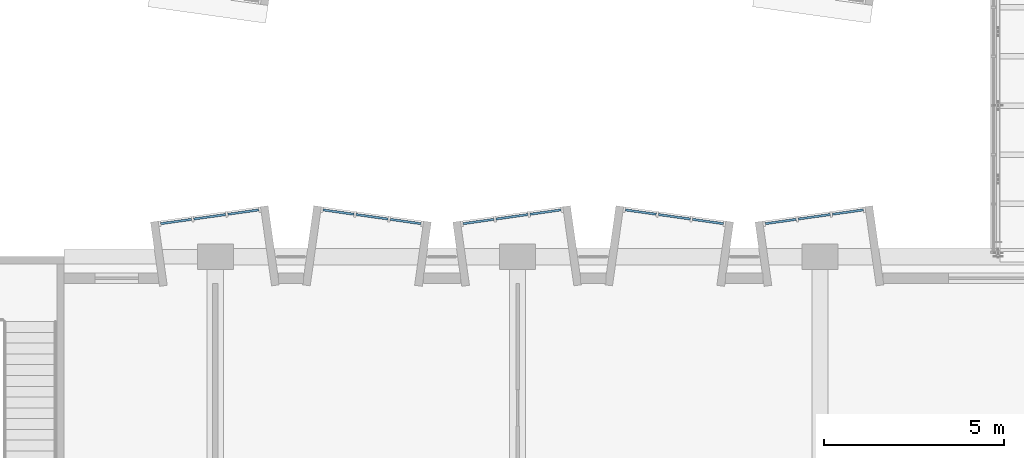
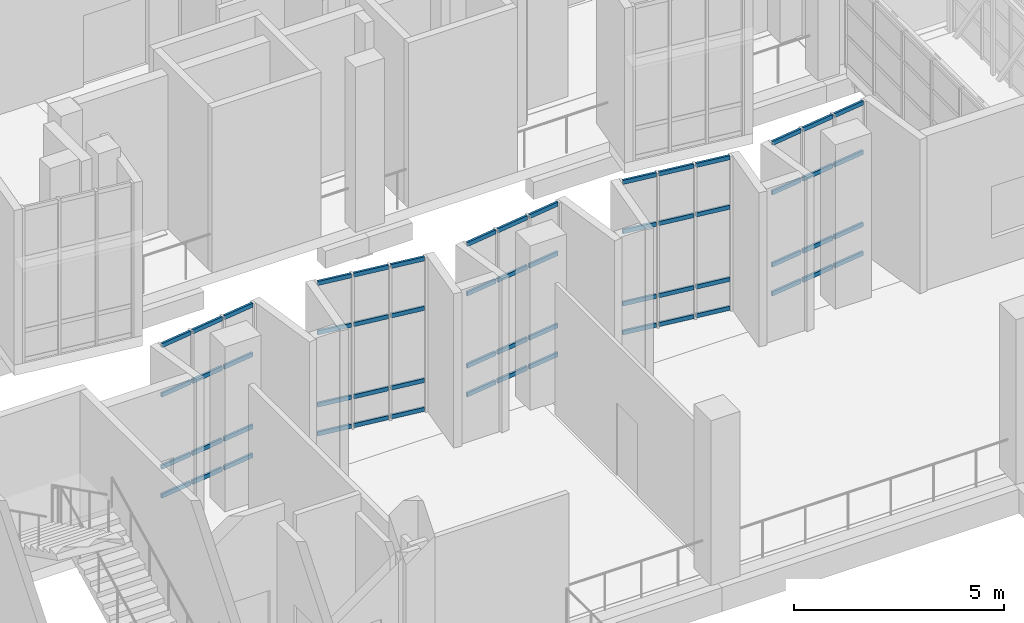
# One storey, part 26 of 86: 60 members, 5 elements without a shape of their own.
"""IFC4 building model written with IfcOpenShell, lengths in metres."""

from ifc_helpers import new_model, si_unit, direction, frame, origin, origin_2d, place, context, subcontext, project, spatial, rectangle, extrude, material, layer, layer_set, material_profile, profile_set, type_object, element, aggregate, save


model = new_model("IFC4")

# Units and contexts
model_context = context("Model", 3, precision=1e-05, world=origin(), true_north=direction((0.0, 1.0)))
body_context = subcontext(model_context, "Body", "Model", "MODEL_VIEW")
ifc_project = project(units=[si_unit("LENGTHUNIT", "METRE"), si_unit("AREAUNIT", "SQUARE_METRE"), si_unit("VOLUMEUNIT", "CUBIC_METRE"), si_unit("PLANEANGLEUNIT", "RADIAN"), si_unit("MASSUNIT", "GRAM", prefix="KILO")], contexts=[model_context])

# Site, building, storey
site_placement = place(None, origin())
site = spatial("IfcSite", under=ifc_project, at=site_placement, CompositionType="ELEMENT")
building_placement = place(site_placement, origin())
building = spatial("IfcBuilding", under=site, at=building_placement, Name="Kiln Court Media Centre", CompositionType="ELEMENT")
storey_placement = place(building_placement, frame((0.0, 0.0, 10.199951171875)))
storey = spatial("IfcBuildingStorey", under=building, at=storey_placement, Name="L02", CompositionType="ELEMENT", Elevation=10.199951171875)

# Curtain wall, members
ifc_material_1 = material(Name="Aluminium 6063-T6", Category="aluminium")
ifc_layer = layer(ifc_material_1, 0.1201171875)
ifc_layer_set = layer_set([ifc_layer], Name="Aluminium unitised bay curtain wall")
curtain_wall_type = type_object("IfcCurtainWallType", Name="Aluminium unitised bay curtain wall", PredefinedType="USERDEFINED", material=ifc_layer_set)
curtain_wall_1_placement = place(storey_placement, origin())
curtain_wall_1 = element("IfcCurtainWall", 1, at=curtain_wall_1_placement, inside=storey, type_object=curtain_wall_type, Name="BAY V6A-N-L02-10 front", ObjectType="UNITISED CURTAIN WALL", PredefinedType="USERDEFINED")
ifc_material_2 = material(Name="Aluminium 6063-T6", Category="aluminium")
ifc_material_profile = material_profile(ifc_material_2, rectangle(XDim=0.06005859375, YDim=0.1201171875, at=origin_2d()), Name="Aluminium transom 60x120")
ifc_profile_set = profile_set([ifc_material_profile], Name="Aluminium 6063-T6")
member_type = type_object("IfcMemberType", Name="Aluminium transom 60x120", PredefinedType="USERDEFINED", material=ifc_profile_set)
member_1_placement = place(storey_placement, frame((6.882568359375, 26.11767578125, 0.06005859375), z_axis=(0.990268108888, 0.139172815303, 0.0), x_axis=(-0.139172815303, 0.990268108888, 0.0)))
member_1 = element("IfcMember", 2, at=member_1_placement, type_object=member_type, Name="CW2-03 transom 1.1", ObjectType="TRANSOM", PredefinedType="USERDEFINED", context=body_context, shape_type="SweptSolid", body=[
    extrude(rectangle(XDim=0.06005859375, YDim=0.1201171875, at=origin_2d()), origin(), (0.0, 0.0, 1.0), 0.86669921875),
])
member_2_placement = place(storey_placement, frame((6.882568359375, 26.11767578125, 0.900146484375), z_axis=(0.990268108888, 0.139172815303, 0.0), x_axis=(-0.139172815303, 0.990268108888, 0.0)))
member_2 = element("IfcMember", 3, at=member_2_placement, type_object=member_type, Name="CW2-03 transom 1.2", ObjectType="TRANSOM", PredefinedType="USERDEFINED", context=body_context, shape_type="SweptSolid", body=[
    extrude(rectangle(XDim=0.06005859375, YDim=0.1201171875, at=origin_2d()), origin(), (0.0, 0.0, 1.0), 0.86669921875),
])
member_3_placement = place(storey_placement, frame((6.882568359375, 26.11767578125, 3.0), z_axis=(0.990268108888, 0.139172815303, 0.0), x_axis=(-0.139172815303, 0.990268108888, 0.0)))
member_3 = element("IfcMember", 4, at=member_3_placement, type_object=member_type, Name="CW2-03 transom 1.3", ObjectType="TRANSOM", PredefinedType="USERDEFINED", context=body_context, shape_type="SweptSolid", body=[
    extrude(rectangle(XDim=0.06005859375, YDim=0.1201171875, at=origin_2d()), origin(), (0.0, 0.0, 1.0), 0.86669921875),
])
member_4_placement = place(storey_placement, frame((6.882568359375, 26.11767578125, 4.43994140625), z_axis=(0.990268108888, 0.139172815303, 0.0), x_axis=(-0.139172815303, 0.990268108888, 0.0)))
member_4 = element("IfcMember", 5, at=member_4_placement, type_object=member_type, Name="CW2-03 transom 1.4", ObjectType="TRANSOM", PredefinedType="USERDEFINED", context=body_context, shape_type="SweptSolid", body=[
    extrude(rectangle(XDim=0.06005859375, YDim=0.1201171875, at=origin_2d()), origin(), (0.0, 0.0, 1.0), 0.86669921875),
])
member_5_placement = place(storey_placement, frame((7.80029296875, 26.246826171875, 0.06005859375), z_axis=(0.990273584723, 0.13913384707, 0.0), x_axis=(-0.13913384707, 0.990273584723, 0.0)))
member_5 = element("IfcMember", 6, at=member_5_placement, type_object=member_type, Name="CW2-03 transom 2.1", ObjectType="TRANSOM", PredefinedType="USERDEFINED", context=body_context, shape_type="SweptSolid", body=[
    extrude(rectangle(XDim=0.06005859375, YDim=0.1201171875, at=origin_2d()), origin(), (0.0, 0.0, 1.0), 0.896728515625),
])
member_6_placement = place(storey_placement, frame((7.80029296875, 26.246826171875, 0.900146484375), z_axis=(0.990273584723, 0.13913384707, 0.0), x_axis=(-0.13913384707, 0.990273584723, 0.0)))
member_6 = element("IfcMember", 7, at=member_6_placement, type_object=member_type, Name="CW2-03 transom 2.2", ObjectType="TRANSOM", PredefinedType="USERDEFINED", context=body_context, shape_type="SweptSolid", body=[
    extrude(rectangle(XDim=0.06005859375, YDim=0.1201171875, at=origin_2d()), origin(), (0.0, 0.0, 1.0), 0.896728515625),
])
member_7_placement = place(storey_placement, frame((7.80029296875, 26.246826171875, 3.0), z_axis=(0.990273584723, 0.13913384707, 0.0), x_axis=(-0.13913384707, 0.990273584723, 0.0)))
member_7 = element("IfcMember", 8, at=member_7_placement, type_object=member_type, Name="CW2-03 transom 2.3", ObjectType="TRANSOM", PredefinedType="USERDEFINED", context=body_context, shape_type="SweptSolid", body=[
    extrude(rectangle(XDim=0.06005859375, YDim=0.1201171875, at=origin_2d()), origin(), (0.0, 0.0, 1.0), 0.896728515625),
])
member_8_placement = place(storey_placement, frame((7.80029296875, 26.246826171875, 4.43994140625), z_axis=(0.990273584723, 0.13913384707, 0.0), x_axis=(-0.13913384707, 0.990273584723, 0.0)))
member_8 = element("IfcMember", 9, at=member_8_placement, type_object=member_type, Name="CW2-03 transom 2.4", ObjectType="TRANSOM", PredefinedType="USERDEFINED", context=body_context, shape_type="SweptSolid", body=[
    extrude(rectangle(XDim=0.06005859375, YDim=0.1201171875, at=origin_2d()), origin(), (0.0, 0.0, 1.0), 0.896728515625),
])
member_9_placement = place(storey_placement, frame((8.74755859375, 26.3798828125, 0.06005859375), z_axis=(0.990268108888, 0.139172815303, 0.0), x_axis=(-0.139172815303, 0.990268108888, 0.0)))
member_9 = element("IfcMember", 10, at=member_9_placement, type_object=member_type, Name="CW2-03 transom 3.1", ObjectType="TRANSOM", PredefinedType="USERDEFINED", context=body_context, shape_type="SweptSolid", body=[
    extrude(rectangle(XDim=0.06005859375, YDim=0.1201171875, at=origin_2d()), origin(), (0.0, 0.0, 1.0), 0.86669921875),
])
member_10_placement = place(storey_placement, frame((8.74755859375, 26.3798828125, 0.900146484375), z_axis=(0.990268108888, 0.139172815303, 0.0), x_axis=(-0.139172815303, 0.990268108888, 0.0)))
member_10 = element("IfcMember", 11, at=member_10_placement, type_object=member_type, Name="CW2-03 transom 3.2", ObjectType="TRANSOM", PredefinedType="USERDEFINED", context=body_context, shape_type="SweptSolid", body=[
    extrude(rectangle(XDim=0.06005859375, YDim=0.1201171875, at=origin_2d()), origin(), (0.0, 0.0, 1.0), 0.86669921875),
])
member_11_placement = place(storey_placement, frame((8.74755859375, 26.3798828125, 3.0), z_axis=(0.990268108888, 0.139172815303, 0.0), x_axis=(-0.139172815303, 0.990268108888, 0.0)))
member_11 = element("IfcMember", 12, at=member_11_placement, type_object=member_type, Name="CW2-03 transom 3.3", ObjectType="TRANSOM", PredefinedType="USERDEFINED", context=body_context, shape_type="SweptSolid", body=[
    extrude(rectangle(XDim=0.06005859375, YDim=0.1201171875, at=origin_2d()), origin(), (0.0, 0.0, 1.0), 0.86669921875),
])
member_12_placement = place(storey_placement, frame((8.74755859375, 26.3798828125, 4.43994140625), z_axis=(0.990268108888, 0.139172815303, 0.0), x_axis=(-0.139172815303, 0.990268108888, 0.0)))
member_12 = element("IfcMember", 13, at=member_12_placement, type_object=member_type, Name="CW2-03 transom 3.4", ObjectType="TRANSOM", PredefinedType="USERDEFINED", context=body_context, shape_type="SweptSolid", body=[
    extrude(rectangle(XDim=0.06005859375, YDim=0.1201171875, at=origin_2d()), origin(), (0.0, 0.0, 1.0), 0.86669921875),
])
aggregate(curtain_wall_1, [member_1, member_2, member_3, member_4, member_5, member_6, member_7, member_8, member_9, member_10, member_11, member_12])

curtain_wall_2_placement = place(storey_placement, origin())
curtain_wall_2 = element("IfcCurtainWall", 14, at=curtain_wall_2_placement, inside=storey, type_object=curtain_wall_type, Name="BAY V6A-N-L02-11 front", ObjectType="UNITISED CURTAIN WALL", PredefinedType="USERDEFINED")
member_13_placement = place(storey_placement, frame((11.394287109375, 26.50048828125, 0.06005859375), z_axis=(0.990268108888, -0.139172815303, 0.0), x_axis=(0.139172815303, 0.990268108888, 0.0)))
member_13 = element("IfcMember", 15, at=member_13_placement, type_object=member_type, Name="CW2-04 transom 1.1", ObjectType="TRANSOM", PredefinedType="USERDEFINED", context=body_context, shape_type="SweptSolid", body=[
    extrude(rectangle(XDim=0.06005859375, YDim=0.1201171875, at=origin_2d()), origin(), (0.0, 0.0, 1.0), 0.86669921875),
])
member_14_placement = place(storey_placement, frame((11.394287109375, 26.50048828125, 0.900146484375), z_axis=(0.990268108888, -0.139172815303, 0.0), x_axis=(0.139172815303, 0.990268108888, 0.0)))
member_14 = element("IfcMember", 16, at=member_14_placement, type_object=member_type, Name="CW2-04 transom 1.2", ObjectType="TRANSOM", PredefinedType="USERDEFINED", context=body_context, shape_type="SweptSolid", body=[
    extrude(rectangle(XDim=0.06005859375, YDim=0.1201171875, at=origin_2d()), origin(), (0.0, 0.0, 1.0), 0.86669921875),
])
member_15_placement = place(storey_placement, frame((11.394287109375, 26.50048828125, 3.0), z_axis=(0.990268108888, -0.139172815303, 0.0), x_axis=(0.139172815303, 0.990268108888, 0.0)))
member_15 = element("IfcMember", 17, at=member_15_placement, type_object=member_type, Name="CW2-04 transom 1.3", ObjectType="TRANSOM", PredefinedType="USERDEFINED", context=body_context, shape_type="SweptSolid", body=[
    extrude(rectangle(XDim=0.06005859375, YDim=0.1201171875, at=origin_2d()), origin(), (0.0, 0.0, 1.0), 0.86669921875),
])
member_16_placement = place(storey_placement, frame((11.394287109375, 26.50048828125, 4.43994140625), z_axis=(0.990268108888, -0.139172815303, 0.0), x_axis=(0.139172815303, 0.990268108888, 0.0)))
member_16 = element("IfcMember", 18, at=member_16_placement, type_object=member_type, Name="CW2-04 transom 1.4", ObjectType="TRANSOM", PredefinedType="USERDEFINED", context=body_context, shape_type="SweptSolid", body=[
    extrude(rectangle(XDim=0.06005859375, YDim=0.1201171875, at=origin_2d()), origin(), (0.0, 0.0, 1.0), 0.86669921875),
])
member_17_placement = place(storey_placement, frame((12.311767578125, 26.37158203125, 0.06005859375), z_axis=(0.990273584723, -0.13913384707, 0.0), x_axis=(0.13913384707, 0.990273584723, 0.0)))
member_17 = element("IfcMember", 19, at=member_17_placement, type_object=member_type, Name="CW2-04 transom 2.1", ObjectType="TRANSOM", PredefinedType="USERDEFINED", context=body_context, shape_type="SweptSolid", body=[
    extrude(rectangle(XDim=0.06005859375, YDim=0.1201171875, at=origin_2d()), origin(), (0.0, 0.0, 1.0), 0.896728515625),
])
member_18_placement = place(storey_placement, frame((12.311767578125, 26.37158203125, 0.900146484375), z_axis=(0.990273584723, -0.13913384707, 0.0), x_axis=(0.13913384707, 0.990273584723, 0.0)))
member_18 = element("IfcMember", 20, at=member_18_placement, type_object=member_type, Name="CW2-04 transom 2.2", ObjectType="TRANSOM", PredefinedType="USERDEFINED", context=body_context, shape_type="SweptSolid", body=[
    extrude(rectangle(XDim=0.06005859375, YDim=0.1201171875, at=origin_2d()), origin(), (0.0, 0.0, 1.0), 0.896728515625),
])
member_19_placement = place(storey_placement, frame((12.311767578125, 26.37158203125, 3.0), z_axis=(0.990273584723, -0.13913384707, 0.0), x_axis=(0.13913384707, 0.990273584723, 0.0)))
member_19 = element("IfcMember", 21, at=member_19_placement, type_object=member_type, Name="CW2-04 transom 2.3", ObjectType="TRANSOM", PredefinedType="USERDEFINED", context=body_context, shape_type="SweptSolid", body=[
    extrude(rectangle(XDim=0.06005859375, YDim=0.1201171875, at=origin_2d()), origin(), (0.0, 0.0, 1.0), 0.896728515625),
])
member_20_placement = place(storey_placement, frame((12.311767578125, 26.37158203125, 4.43994140625), z_axis=(0.990273584723, -0.13913384707, 0.0), x_axis=(0.13913384707, 0.990273584723, 0.0)))
member_20 = element("IfcMember", 22, at=member_20_placement, type_object=member_type, Name="CW2-04 transom 2.4", ObjectType="TRANSOM", PredefinedType="USERDEFINED", context=body_context, shape_type="SweptSolid", body=[
    extrude(rectangle(XDim=0.06005859375, YDim=0.1201171875, at=origin_2d()), origin(), (0.0, 0.0, 1.0), 0.896728515625),
])
member_21_placement = place(storey_placement, frame((13.25927734375, 26.23828125, 0.06005859375), z_axis=(0.990268108888, -0.139172815303, 0.0), x_axis=(0.139172815303, 0.990268108888, 0.0)))
member_21 = element("IfcMember", 23, at=member_21_placement, type_object=member_type, Name="CW2-04 transom 3.1", ObjectType="TRANSOM", PredefinedType="USERDEFINED", context=body_context, shape_type="SweptSolid", body=[
    extrude(rectangle(XDim=0.06005859375, YDim=0.1201171875, at=origin_2d()), origin(), (0.0, 0.0, 1.0), 0.86669921875),
])
member_22_placement = place(storey_placement, frame((13.25927734375, 26.23828125, 0.900146484375), z_axis=(0.990268108888, -0.139172815303, 0.0), x_axis=(0.139172815303, 0.990268108888, 0.0)))
member_22 = element("IfcMember", 24, at=member_22_placement, type_object=member_type, Name="CW2-04 transom 3.2", ObjectType="TRANSOM", PredefinedType="USERDEFINED", context=body_context, shape_type="SweptSolid", body=[
    extrude(rectangle(XDim=0.06005859375, YDim=0.1201171875, at=origin_2d()), origin(), (0.0, 0.0, 1.0), 0.86669921875),
])
member_23_placement = place(storey_placement, frame((13.25927734375, 26.23828125, 3.0), z_axis=(0.990268108888, -0.139172815303, 0.0), x_axis=(0.139172815303, 0.990268108888, 0.0)))
member_23 = element("IfcMember", 25, at=member_23_placement, type_object=member_type, Name="CW2-04 transom 3.3", ObjectType="TRANSOM", PredefinedType="USERDEFINED", context=body_context, shape_type="SweptSolid", body=[
    extrude(rectangle(XDim=0.06005859375, YDim=0.1201171875, at=origin_2d()), origin(), (0.0, 0.0, 1.0), 0.86669921875),
])
member_24_placement = place(storey_placement, frame((13.25927734375, 26.23828125, 4.43994140625), z_axis=(0.990268108888, -0.139172815303, 0.0), x_axis=(0.139172815303, 0.990268108888, 0.0)))
member_24 = element("IfcMember", 26, at=member_24_placement, type_object=member_type, Name="CW2-04 transom 3.4", ObjectType="TRANSOM", PredefinedType="USERDEFINED", context=body_context, shape_type="SweptSolid", body=[
    extrude(rectangle(XDim=0.06005859375, YDim=0.1201171875, at=origin_2d()), origin(), (0.0, 0.0, 1.0), 0.86669921875),
])
aggregate(curtain_wall_2, [member_13, member_14, member_15, member_16, member_17, member_18, member_19, member_20, member_21, member_22, member_23, member_24])

curtain_wall_3_placement = place(storey_placement, origin())
curtain_wall_3 = element("IfcCurtainWall", 27, at=curtain_wall_3_placement, inside=storey, type_object=curtain_wall_type, Name="BAY V6A-N-L02-12 front", ObjectType="UNITISED CURTAIN WALL", PredefinedType="USERDEFINED")
member_25_placement = place(storey_placement, frame((15.282470703125, 26.11767578125, 0.06005859375), z_axis=(0.990273563383, 0.139133998951, 0.0), x_axis=(-0.139133998951, 0.990273563383, 0.0)))
member_25 = element("IfcMember", 28, at=member_25_placement, type_object=member_type, Name="CW2-05 transom 1.1", ObjectType="TRANSOM", PredefinedType="USERDEFINED", context=body_context, shape_type="SweptSolid", body=[
    extrude(rectangle(XDim=0.06005859375, YDim=0.1201171875, at=origin_2d()), origin(), (0.0, 0.0, 1.0), 0.866943359375),
])
member_26_placement = place(storey_placement, frame((15.282470703125, 26.11767578125, 0.900146484375), z_axis=(0.990273563383, 0.139133998951, 0.0), x_axis=(-0.139133998951, 0.990273563383, 0.0)))
member_26 = element("IfcMember", 29, at=member_26_placement, type_object=member_type, Name="CW2-05 transom 1.2", ObjectType="TRANSOM", PredefinedType="USERDEFINED", context=body_context, shape_type="SweptSolid", body=[
    extrude(rectangle(XDim=0.06005859375, YDim=0.1201171875, at=origin_2d()), origin(), (0.0, 0.0, 1.0), 0.866943359375),
])
member_27_placement = place(storey_placement, frame((15.282470703125, 26.11767578125, 3.0), z_axis=(0.990273563383, 0.139133998951, 0.0), x_axis=(-0.139133998951, 0.990273563383, 0.0)))
member_27 = element("IfcMember", 30, at=member_27_placement, type_object=member_type, Name="CW2-05 transom 1.3", ObjectType="TRANSOM", PredefinedType="USERDEFINED", context=body_context, shape_type="SweptSolid", body=[
    extrude(rectangle(XDim=0.06005859375, YDim=0.1201171875, at=origin_2d()), origin(), (0.0, 0.0, 1.0), 0.866943359375),
])
member_28_placement = place(storey_placement, frame((15.282470703125, 26.11767578125, 4.43994140625), z_axis=(0.990273563383, 0.139133998951, 0.0), x_axis=(-0.139133998951, 0.990273563383, 0.0)))
member_28 = element("IfcMember", 31, at=member_28_placement, type_object=member_type, Name="CW2-05 transom 1.4", ObjectType="TRANSOM", PredefinedType="USERDEFINED", context=body_context, shape_type="SweptSolid", body=[
    extrude(rectangle(XDim=0.06005859375, YDim=0.1201171875, at=origin_2d()), origin(), (0.0, 0.0, 1.0), 0.866943359375),
])
member_29_placement = place(storey_placement, frame((16.2001953125, 26.246826171875, 0.06005859375), z_axis=(0.990273584723, 0.13913384707, 0.0), x_axis=(-0.13913384707, 0.990273584723, 0.0)))
member_29 = element("IfcMember", 32, at=member_29_placement, type_object=member_type, Name="CW2-05 transom 2.1", ObjectType="TRANSOM", PredefinedType="USERDEFINED", context=body_context, shape_type="SweptSolid", body=[
    extrude(rectangle(XDim=0.06005859375, YDim=0.1201171875, at=origin_2d()), origin(), (0.0, 0.0, 1.0), 0.896728515625),
])
member_30_placement = place(storey_placement, frame((16.2001953125, 26.246826171875, 0.900146484375), z_axis=(0.990273584723, 0.13913384707, 0.0), x_axis=(-0.13913384707, 0.990273584723, 0.0)))
member_30 = element("IfcMember", 33, at=member_30_placement, type_object=member_type, Name="CW2-05 transom 2.2", ObjectType="TRANSOM", PredefinedType="USERDEFINED", context=body_context, shape_type="SweptSolid", body=[
    extrude(rectangle(XDim=0.06005859375, YDim=0.1201171875, at=origin_2d()), origin(), (0.0, 0.0, 1.0), 0.896728515625),
])
member_31_placement = place(storey_placement, frame((16.2001953125, 26.246826171875, 3.0), z_axis=(0.990273584723, 0.13913384707, 0.0), x_axis=(-0.13913384707, 0.990273584723, 0.0)))
member_31 = element("IfcMember", 34, at=member_31_placement, type_object=member_type, Name="CW2-05 transom 2.3", ObjectType="TRANSOM", PredefinedType="USERDEFINED", context=body_context, shape_type="SweptSolid", body=[
    extrude(rectangle(XDim=0.06005859375, YDim=0.1201171875, at=origin_2d()), origin(), (0.0, 0.0, 1.0), 0.896728515625),
])
member_32_placement = place(storey_placement, frame((16.2001953125, 26.246826171875, 4.43994140625), z_axis=(0.990273584723, 0.13913384707, 0.0), x_axis=(-0.13913384707, 0.990273584723, 0.0)))
member_32 = element("IfcMember", 35, at=member_32_placement, type_object=member_type, Name="CW2-05 transom 2.4", ObjectType="TRANSOM", PredefinedType="USERDEFINED", context=body_context, shape_type="SweptSolid", body=[
    extrude(rectangle(XDim=0.06005859375, YDim=0.1201171875, at=origin_2d()), origin(), (0.0, 0.0, 1.0), 0.896728515625),
])
member_33_placement = place(storey_placement, frame((17.1474609375, 26.3798828125, 0.06005859375), z_axis=(0.990273563383, 0.139133998951, 0.0), x_axis=(-0.139133998951, 0.990273563383, 0.0)))
member_33 = element("IfcMember", 36, at=member_33_placement, type_object=member_type, Name="CW2-05 transom 3.1", ObjectType="TRANSOM", PredefinedType="USERDEFINED", context=body_context, shape_type="SweptSolid", body=[
    extrude(rectangle(XDim=0.06005859375, YDim=0.1201171875, at=origin_2d()), origin(), (0.0, 0.0, 1.0), 0.866943359375),
])
member_34_placement = place(storey_placement, frame((17.1474609375, 26.3798828125, 0.900146484375), z_axis=(0.990273563383, 0.139133998951, 0.0), x_axis=(-0.139133998951, 0.990273563383, 0.0)))
member_34 = element("IfcMember", 37, at=member_34_placement, type_object=member_type, Name="CW2-05 transom 3.2", ObjectType="TRANSOM", PredefinedType="USERDEFINED", context=body_context, shape_type="SweptSolid", body=[
    extrude(rectangle(XDim=0.06005859375, YDim=0.1201171875, at=origin_2d()), origin(), (0.0, 0.0, 1.0), 0.866943359375),
])
member_35_placement = place(storey_placement, frame((17.1474609375, 26.3798828125, 3.0), z_axis=(0.990273563383, 0.139133998951, 0.0), x_axis=(-0.139133998951, 0.990273563383, 0.0)))
member_35 = element("IfcMember", 38, at=member_35_placement, type_object=member_type, Name="CW2-05 transom 3.3", ObjectType="TRANSOM", PredefinedType="USERDEFINED", context=body_context, shape_type="SweptSolid", body=[
    extrude(rectangle(XDim=0.06005859375, YDim=0.1201171875, at=origin_2d()), origin(), (0.0, 0.0, 1.0), 0.866943359375),
])
member_36_placement = place(storey_placement, frame((17.1474609375, 26.3798828125, 4.43994140625), z_axis=(0.990273563383, 0.139133998951, 0.0), x_axis=(-0.139133998951, 0.990273563383, 0.0)))
member_36 = element("IfcMember", 39, at=member_36_placement, type_object=member_type, Name="CW2-05 transom 3.4", ObjectType="TRANSOM", PredefinedType="USERDEFINED", context=body_context, shape_type="SweptSolid", body=[
    extrude(rectangle(XDim=0.06005859375, YDim=0.1201171875, at=origin_2d()), origin(), (0.0, 0.0, 1.0), 0.866943359375),
])
aggregate(curtain_wall_3, [member_25, member_26, member_27, member_28, member_29, member_30, member_31, member_32, member_33, member_34, member_35, member_36])

curtain_wall_4_placement = place(storey_placement, origin())
curtain_wall_4 = element("IfcCurtainWall", 40, at=curtain_wall_4_placement, inside=storey, type_object=curtain_wall_type, Name="BAY V6A-N-L02-13 front", ObjectType="UNITISED CURTAIN WALL", PredefinedType="USERDEFINED")
member_37_placement = place(storey_placement, frame((19.794189453125, 26.50048828125, 0.06005859375), z_axis=(0.990268108888, -0.139172815303, 0.0), x_axis=(0.139172815303, 0.990268108888, 0.0)))
member_37 = element("IfcMember", 41, at=member_37_placement, type_object=member_type, Name="CW2-06 transom 1.1", ObjectType="TRANSOM", PredefinedType="USERDEFINED", context=body_context, shape_type="SweptSolid", body=[
    extrude(rectangle(XDim=0.06005859375, YDim=0.1201171875, at=origin_2d()), origin(), (0.0, 0.0, 1.0), 0.86669921875),
])
member_38_placement = place(storey_placement, frame((19.794189453125, 26.50048828125, 0.900146484375), z_axis=(0.990268108888, -0.139172815303, 0.0), x_axis=(0.139172815303, 0.990268108888, 0.0)))
member_38 = element("IfcMember", 42, at=member_38_placement, type_object=member_type, Name="CW2-06 transom 1.2", ObjectType="TRANSOM", PredefinedType="USERDEFINED", context=body_context, shape_type="SweptSolid", body=[
    extrude(rectangle(XDim=0.06005859375, YDim=0.1201171875, at=origin_2d()), origin(), (0.0, 0.0, 1.0), 0.86669921875),
])
member_39_placement = place(storey_placement, frame((19.794189453125, 26.50048828125, 3.0), z_axis=(0.990268108888, -0.139172815303, 0.0), x_axis=(0.139172815303, 0.990268108888, 0.0)))
member_39 = element("IfcMember", 43, at=member_39_placement, type_object=member_type, Name="CW2-06 transom 1.3", ObjectType="TRANSOM", PredefinedType="USERDEFINED", context=body_context, shape_type="SweptSolid", body=[
    extrude(rectangle(XDim=0.06005859375, YDim=0.1201171875, at=origin_2d()), origin(), (0.0, 0.0, 1.0), 0.86669921875),
])
member_40_placement = place(storey_placement, frame((19.794189453125, 26.50048828125, 4.43994140625), z_axis=(0.990268108888, -0.139172815303, 0.0), x_axis=(0.139172815303, 0.990268108888, 0.0)))
member_40 = element("IfcMember", 44, at=member_40_placement, type_object=member_type, Name="CW2-06 transom 1.4", ObjectType="TRANSOM", PredefinedType="USERDEFINED", context=body_context, shape_type="SweptSolid", body=[
    extrude(rectangle(XDim=0.06005859375, YDim=0.1201171875, at=origin_2d()), origin(), (0.0, 0.0, 1.0), 0.86669921875),
])
member_41_placement = place(storey_placement, frame((20.7119140625, 26.37158203125, 0.06005859375), z_axis=(0.990273584723, -0.13913384707, 0.0), x_axis=(0.13913384707, 0.990273584723, 0.0)))
member_41 = element("IfcMember", 45, at=member_41_placement, type_object=member_type, Name="CW2-06 transom 2.1", ObjectType="TRANSOM", PredefinedType="USERDEFINED", context=body_context, shape_type="SweptSolid", body=[
    extrude(rectangle(XDim=0.06005859375, YDim=0.1201171875, at=origin_2d()), origin(), (0.0, 0.0, 1.0), 0.896728515625),
])
member_42_placement = place(storey_placement, frame((20.7119140625, 26.37158203125, 0.900146484375), z_axis=(0.990273584723, -0.13913384707, 0.0), x_axis=(0.13913384707, 0.990273584723, 0.0)))
member_42 = element("IfcMember", 46, at=member_42_placement, type_object=member_type, Name="CW2-06 transom 2.2", ObjectType="TRANSOM", PredefinedType="USERDEFINED", context=body_context, shape_type="SweptSolid", body=[
    extrude(rectangle(XDim=0.06005859375, YDim=0.1201171875, at=origin_2d()), origin(), (0.0, 0.0, 1.0), 0.896728515625),
])
member_43_placement = place(storey_placement, frame((20.7119140625, 26.37158203125, 3.0), z_axis=(0.990273584723, -0.13913384707, 0.0), x_axis=(0.13913384707, 0.990273584723, 0.0)))
member_43 = element("IfcMember", 47, at=member_43_placement, type_object=member_type, Name="CW2-06 transom 2.3", ObjectType="TRANSOM", PredefinedType="USERDEFINED", context=body_context, shape_type="SweptSolid", body=[
    extrude(rectangle(XDim=0.06005859375, YDim=0.1201171875, at=origin_2d()), origin(), (0.0, 0.0, 1.0), 0.896728515625),
])
member_44_placement = place(storey_placement, frame((20.7119140625, 26.37158203125, 4.43994140625), z_axis=(0.990273584723, -0.13913384707, 0.0), x_axis=(0.13913384707, 0.990273584723, 0.0)))
member_44 = element("IfcMember", 48, at=member_44_placement, type_object=member_type, Name="CW2-06 transom 2.4", ObjectType="TRANSOM", PredefinedType="USERDEFINED", context=body_context, shape_type="SweptSolid", body=[
    extrude(rectangle(XDim=0.06005859375, YDim=0.1201171875, at=origin_2d()), origin(), (0.0, 0.0, 1.0), 0.896728515625),
])
member_45_placement = place(storey_placement, frame((21.6591796875, 26.23828125, 0.06005859375), z_axis=(0.990273563383, -0.139133998951, 0.0), x_axis=(0.139133998951, 0.990273563383, 0.0)))
member_45 = element("IfcMember", 49, at=member_45_placement, type_object=member_type, Name="CW2-06 transom 3.1", ObjectType="TRANSOM", PredefinedType="USERDEFINED", context=body_context, shape_type="SweptSolid", body=[
    extrude(rectangle(XDim=0.06005859375, YDim=0.1201171875, at=origin_2d()), origin(), (0.0, 0.0, 1.0), 0.866943359375),
])
member_46_placement = place(storey_placement, frame((21.6591796875, 26.23828125, 0.900146484375), z_axis=(0.990273563383, -0.139133998951, 0.0), x_axis=(0.139133998951, 0.990273563383, 0.0)))
member_46 = element("IfcMember", 50, at=member_46_placement, type_object=member_type, Name="CW2-06 transom 3.2", ObjectType="TRANSOM", PredefinedType="USERDEFINED", context=body_context, shape_type="SweptSolid", body=[
    extrude(rectangle(XDim=0.06005859375, YDim=0.1201171875, at=origin_2d()), origin(), (0.0, 0.0, 1.0), 0.866943359375),
])
member_47_placement = place(storey_placement, frame((21.6591796875, 26.23828125, 3.0), z_axis=(0.990273563383, -0.139133998951, 0.0), x_axis=(0.139133998951, 0.990273563383, 0.0)))
member_47 = element("IfcMember", 51, at=member_47_placement, type_object=member_type, Name="CW2-06 transom 3.3", ObjectType="TRANSOM", PredefinedType="USERDEFINED", context=body_context, shape_type="SweptSolid", body=[
    extrude(rectangle(XDim=0.06005859375, YDim=0.1201171875, at=origin_2d()), origin(), (0.0, 0.0, 1.0), 0.866943359375),
])
member_48_placement = place(storey_placement, frame((21.6591796875, 26.23828125, 4.43994140625), z_axis=(0.990273563383, -0.139133998951, 0.0), x_axis=(0.139133998951, 0.990273563383, 0.0)))
member_48 = element("IfcMember", 52, at=member_48_placement, type_object=member_type, Name="CW2-06 transom 3.4", ObjectType="TRANSOM", PredefinedType="USERDEFINED", context=body_context, shape_type="SweptSolid", body=[
    extrude(rectangle(XDim=0.06005859375, YDim=0.1201171875, at=origin_2d()), origin(), (0.0, 0.0, 1.0), 0.866943359375),
])
aggregate(curtain_wall_4, [member_37, member_38, member_39, member_40, member_41, member_42, member_43, member_44, member_45, member_46, member_47, member_48])

curtain_wall_5_placement = place(storey_placement, origin())
curtain_wall_5 = element("IfcCurtainWall", 53, at=curtain_wall_5_placement, inside=storey, type_object=curtain_wall_type, Name="BAY V6A-N-L02-14 front", ObjectType="UNITISED CURTAIN WALL", PredefinedType="USERDEFINED")
member_49_placement = place(storey_placement, frame((23.6826171875, 26.11767578125, 0.06005859375), z_axis=(0.990268108888, 0.139172815303, 0.0), x_axis=(-0.139172815303, 0.990268108888, 0.0)))
member_49 = element("IfcMember", 54, at=member_49_placement, type_object=member_type, Name="CW2-07 transom 1.1", ObjectType="TRANSOM", PredefinedType="USERDEFINED", context=body_context, shape_type="SweptSolid", body=[
    extrude(rectangle(XDim=0.06005859375, YDim=0.1201171875, at=origin_2d()), origin(), (0.0, 0.0, 1.0), 0.86669921875),
])
member_50_placement = place(storey_placement, frame((23.6826171875, 26.11767578125, 0.900146484375), z_axis=(0.990268108888, 0.139172815303, 0.0), x_axis=(-0.139172815303, 0.990268108888, 0.0)))
member_50 = element("IfcMember", 55, at=member_50_placement, type_object=member_type, Name="CW2-07 transom 1.2", ObjectType="TRANSOM", PredefinedType="USERDEFINED", context=body_context, shape_type="SweptSolid", body=[
    extrude(rectangle(XDim=0.06005859375, YDim=0.1201171875, at=origin_2d()), origin(), (0.0, 0.0, 1.0), 0.86669921875),
])
member_51_placement = place(storey_placement, frame((23.6826171875, 26.11767578125, 3.0), z_axis=(0.990268108888, 0.139172815303, 0.0), x_axis=(-0.139172815303, 0.990268108888, 0.0)))
member_51 = element("IfcMember", 56, at=member_51_placement, type_object=member_type, Name="CW2-07 transom 1.3", ObjectType="TRANSOM", PredefinedType="USERDEFINED", context=body_context, shape_type="SweptSolid", body=[
    extrude(rectangle(XDim=0.06005859375, YDim=0.1201171875, at=origin_2d()), origin(), (0.0, 0.0, 1.0), 0.86669921875),
])
member_52_placement = place(storey_placement, frame((23.6826171875, 26.11767578125, 4.43994140625), z_axis=(0.990268108888, 0.139172815303, 0.0), x_axis=(-0.139172815303, 0.990268108888, 0.0)))
member_52 = element("IfcMember", 57, at=member_52_placement, type_object=member_type, Name="CW2-07 transom 1.4", ObjectType="TRANSOM", PredefinedType="USERDEFINED", context=body_context, shape_type="SweptSolid", body=[
    extrude(rectangle(XDim=0.06005859375, YDim=0.1201171875, at=origin_2d()), origin(), (0.0, 0.0, 1.0), 0.86669921875),
])
member_53_placement = place(storey_placement, frame((24.60009765625, 26.246826171875, 0.06005859375), z_axis=(0.990273584723, 0.13913384707, 0.0), x_axis=(-0.13913384707, 0.990273584723, 0.0)))
member_53 = element("IfcMember", 58, at=member_53_placement, type_object=member_type, Name="CW2-07 transom 2.1", ObjectType="TRANSOM", PredefinedType="USERDEFINED", context=body_context, shape_type="SweptSolid", body=[
    extrude(rectangle(XDim=0.06005859375, YDim=0.1201171875, at=origin_2d()), origin(), (0.0, 0.0, 1.0), 0.896728515625),
])
member_54_placement = place(storey_placement, frame((24.60009765625, 26.246826171875, 0.900146484375), z_axis=(0.990273584723, 0.13913384707, 0.0), x_axis=(-0.13913384707, 0.990273584723, 0.0)))
member_54 = element("IfcMember", 59, at=member_54_placement, type_object=member_type, Name="CW2-07 transom 2.2", ObjectType="TRANSOM", PredefinedType="USERDEFINED", context=body_context, shape_type="SweptSolid", body=[
    extrude(rectangle(XDim=0.06005859375, YDim=0.1201171875, at=origin_2d()), origin(), (0.0, 0.0, 1.0), 0.896728515625),
])
member_55_placement = place(storey_placement, frame((24.60009765625, 26.246826171875, 3.0), z_axis=(0.990273584723, 0.13913384707, 0.0), x_axis=(-0.13913384707, 0.990273584723, 0.0)))
member_55 = element("IfcMember", 60, at=member_55_placement, type_object=member_type, Name="CW2-07 transom 2.3", ObjectType="TRANSOM", PredefinedType="USERDEFINED", context=body_context, shape_type="SweptSolid", body=[
    extrude(rectangle(XDim=0.06005859375, YDim=0.1201171875, at=origin_2d()), origin(), (0.0, 0.0, 1.0), 0.896728515625),
])
member_56_placement = place(storey_placement, frame((24.60009765625, 26.246826171875, 4.43994140625), z_axis=(0.990273584723, 0.13913384707, 0.0), x_axis=(-0.13913384707, 0.990273584723, 0.0)))
member_56 = element("IfcMember", 61, at=member_56_placement, type_object=member_type, Name="CW2-07 transom 2.4", ObjectType="TRANSOM", PredefinedType="USERDEFINED", context=body_context, shape_type="SweptSolid", body=[
    extrude(rectangle(XDim=0.06005859375, YDim=0.1201171875, at=origin_2d()), origin(), (0.0, 0.0, 1.0), 0.896728515625),
])
member_57_placement = place(storey_placement, frame((25.547607421875, 26.3798828125, 0.06005859375), z_axis=(0.990268108888, 0.139172815303, 0.0), x_axis=(-0.139172815303, 0.990268108888, 0.0)))
member_57 = element("IfcMember", 62, at=member_57_placement, type_object=member_type, Name="CW2-07 transom 3.1", ObjectType="TRANSOM", PredefinedType="USERDEFINED", context=body_context, shape_type="SweptSolid", body=[
    extrude(rectangle(XDim=0.06005859375, YDim=0.1201171875, at=origin_2d()), origin(), (0.0, 0.0, 1.0), 0.86669921875),
])
member_58_placement = place(storey_placement, frame((25.547607421875, 26.3798828125, 0.900146484375), z_axis=(0.990268108888, 0.139172815303, 0.0), x_axis=(-0.139172815303, 0.990268108888, 0.0)))
member_58 = element("IfcMember", 63, at=member_58_placement, type_object=member_type, Name="CW2-07 transom 3.2", ObjectType="TRANSOM", PredefinedType="USERDEFINED", context=body_context, shape_type="SweptSolid", body=[
    extrude(rectangle(XDim=0.06005859375, YDim=0.1201171875, at=origin_2d()), origin(), (0.0, 0.0, 1.0), 0.86669921875),
])
member_59_placement = place(storey_placement, frame((25.547607421875, 26.3798828125, 3.0), z_axis=(0.990268108888, 0.139172815303, 0.0), x_axis=(-0.139172815303, 0.990268108888, 0.0)))
member_59 = element("IfcMember", 64, at=member_59_placement, type_object=member_type, Name="CW2-07 transom 3.3", ObjectType="TRANSOM", PredefinedType="USERDEFINED", context=body_context, shape_type="SweptSolid", body=[
    extrude(rectangle(XDim=0.06005859375, YDim=0.1201171875, at=origin_2d()), origin(), (0.0, 0.0, 1.0), 0.86669921875),
])
member_60_placement = place(storey_placement, frame((25.547607421875, 26.3798828125, 4.43994140625), z_axis=(0.990268108888, 0.139172815303, 0.0), x_axis=(-0.139172815303, 0.990268108888, 0.0)))
member_60 = element("IfcMember", 65, at=member_60_placement, type_object=member_type, Name="CW2-07 transom 3.4", ObjectType="TRANSOM", PredefinedType="USERDEFINED", context=body_context, shape_type="SweptSolid", body=[
    extrude(rectangle(XDim=0.06005859375, YDim=0.1201171875, at=origin_2d()), origin(), (0.0, 0.0, 1.0), 0.86669921875),
])
aggregate(curtain_wall_5, [member_49, member_50, member_51, member_52, member_53, member_54, member_55, member_56, member_57, member_58, member_59, member_60])

save(model, "model.ifc")
